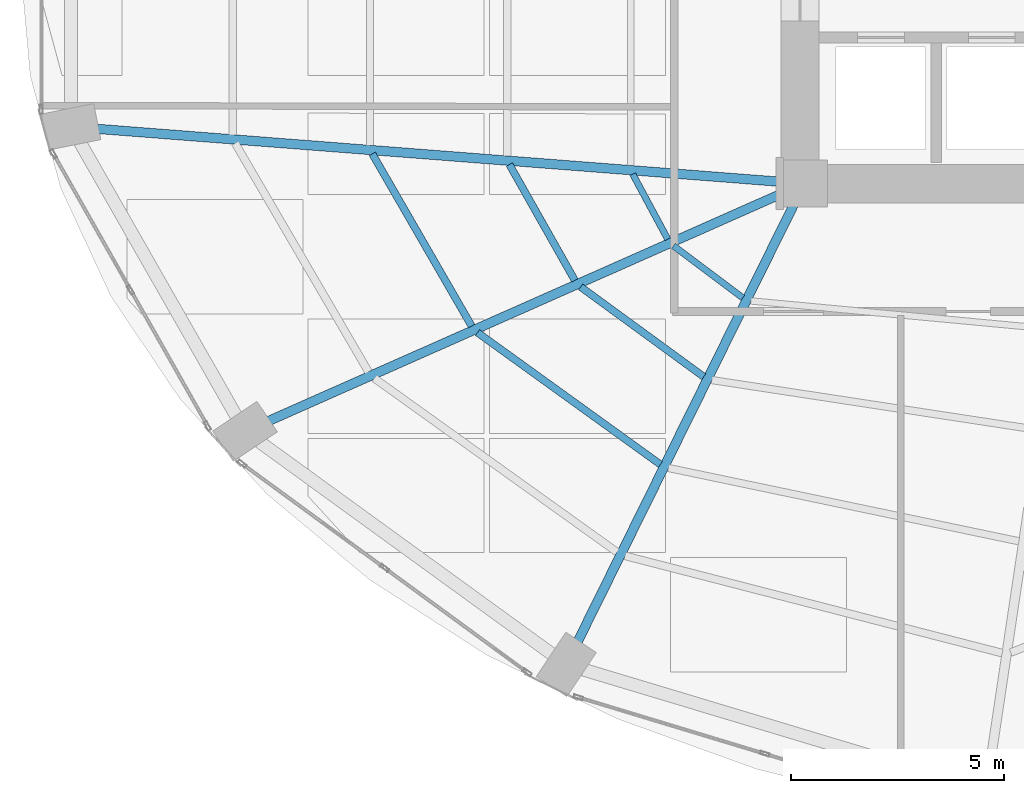
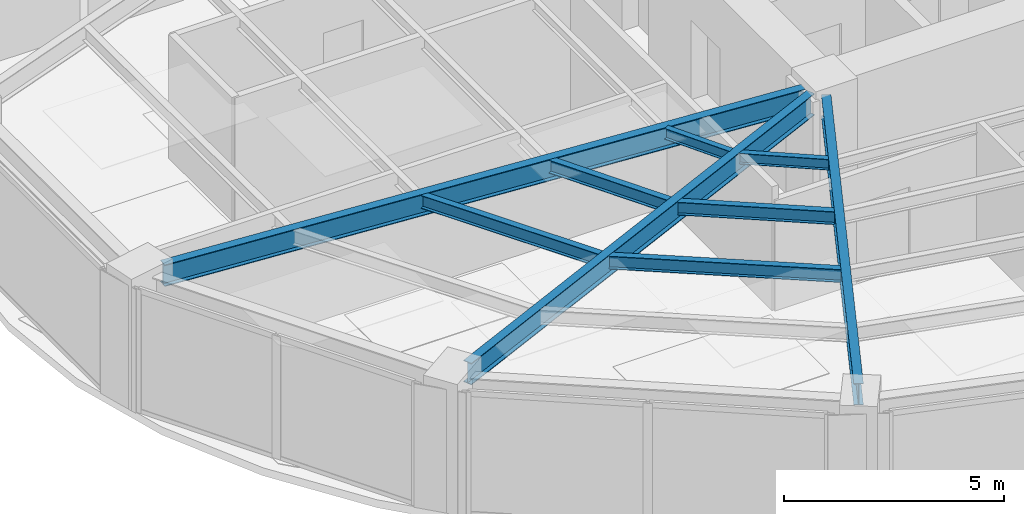
# One storey, part 4 of 24: 9 beams.
"""IFC4 building model written with IfcOpenShell, lengths in metres."""

import ifcopenshell
import ifcopenshell.guid

model = None  # the IFC model being written
_history = None  # IfcOwnerHistory: only IFC2X3 demands one
_inside = {}  # id of a spatial element -> (the spatial element, [elements in it])
_under = {}  # id of a project, library or spatial element -> (it, [spatial elements below it])
_declared = {}  # id of a project -> (the project, [libraries it declares])
_typed = {}  # id of a type object -> (the type object, [elements of that type])
_made_of = {}  # id of a material, layer set ... -> (it, [elements and type objects made of it])


def new_model(schema):
    """Start an empty IFC model of exactly this schema.

    Asked for "IFC4X3", IfcOpenShell would pick the latest addendum, in which some entities
    have other attributes; the version numbers below select the first issue.
    IFC2X3 requires an IfcOwnerHistory on every rooted entity: one is made here for all.
    """
    global model, _history
    if schema == "IFC4X3":
        model = ifcopenshell.file(schema_version=(4, 3, 0, 0))
    else:
        model = ifcopenshell.file(schema=schema)
    _inside.clear()
    _under.clear()
    _declared.clear()
    _typed.clear()
    _made_of.clear()
    _history = None
    if model.schema == "IFC2X3":
        org = make("IfcOrganization", Name="unknown")
        user = make(
            "IfcPersonAndOrganization",
            ThePerson=make("IfcPerson", FamilyName="unknown"),
            TheOrganization=org,
        )
        app = make(
            "IfcApplication",
            ApplicationDeveloper=org,
            Version="unknown",
            ApplicationFullName="unknown",
            ApplicationIdentifier="unknown",
        )
        _history = make(
            "IfcOwnerHistory",
            OwningUser=user,
            OwningApplication=app,
            ChangeAction="ADDED",
            CreationDate=0,
        )
    return model


def make(cls, **values):
    """One entity of the class cls with the attributes given. An attribute that is None is left unset."""
    return model.create_entity(
        cls, **{name: value for name, value in values.items() if value is not None}
    )


def rooted(cls, **values):
    """An entity with a GlobalId (a new one), such as an element, a storey or a relation."""
    return make(cls, GlobalId=ifcopenshell.guid.new(), OwnerHistory=_history, **values)


def si_unit(unit_type, name, prefix=None):
    """IfcSIUnit, for example si_unit("LENGTHUNIT", "METRE", prefix="MILLI")."""
    return make("IfcSIUnit", UnitType=unit_type, Prefix=prefix, Name=name)


def assignment(units):
    """IfcUnitAssignment: the units of a project."""
    return None if units is None else make("IfcUnitAssignment", Units=units)


def point(xyz):
    """IfcCartesianPoint."""
    return None if xyz is None else make("IfcCartesianPoint", Coordinates=xyz)


def direction(xyz):
    """IfcDirection."""
    return None if xyz is None else make("IfcDirection", DirectionRatios=xyz)


def frame(location, z_axis=None, x_axis=None):
    """IfcAxis2Placement3D, a coordinate frame: its origin and axes. An axis left out is left unset."""
    return make(
        "IfcAxis2Placement3D",
        Location=point(location),
        Axis=direction(z_axis),
        RefDirection=direction(x_axis),
    )


def frame_2d(location, x_axis=None):
    """IfcAxis2Placement2D, a coordinate frame in the plane: its origin and x axis."""
    return make(
        "IfcAxis2Placement2D", Location=point(location), RefDirection=direction(x_axis)
    )


def origin():
    """The frame at (0, 0, 0) with its axes left unset."""
    return frame((0.0, 0.0, 0.0))


def origin_2d():
    """The frame at (0, 0) in the plane with its x axis left unset."""
    return frame_2d((0.0, 0.0))


def place(relative_to, where):
    """IfcLocalPlacement: puts the frame where relative to a parent placement (None: the world)."""
    return make(
        "IfcLocalPlacement", PlacementRelTo=relative_to, RelativePlacement=where
    )


def context(
    kind, dimensions, precision=None, world=None, true_north=None, identifier=None
):
    """IfcGeometricRepresentationContext, for example the 3D "Model" context."""
    return make(
        "IfcGeometricRepresentationContext",
        ContextIdentifier=identifier,
        ContextType=kind,
        CoordinateSpaceDimension=dimensions,
        Precision=precision,
        WorldCoordinateSystem=world,
        TrueNorth=true_north,
    )


def subcontext(parent, identifier, kind, view, scale=None):
    """IfcGeometricRepresentationSubContext, for example "Body" below "Model"."""
    return make(
        "IfcGeometricRepresentationSubContext",
        ContextIdentifier=identifier,
        ContextType=kind,
        ParentContext=parent,
        TargetScale=scale,
        TargetView=view,
    )


def project(units=None, contexts=None):
    """IfcProject with its units and contexts."""
    return rooted(
        "IfcProject",
        Name="project",
        RepresentationContexts=contexts,
        UnitsInContext=assignment(units),
    )


def spatial(cls, under=None, at=None, **own):
    """A site, building, storey or space (cls), placed at a placement, below another one or the project."""
    s = rooted(cls, ObjectPlacement=at, **own)
    if under is not None:
        _under.setdefault(under.id(), (under, []))[1].append(s)
    return s


def profile(cls, at=None, kind="AREA", **sizes):
    """A parametric profile (cls). Its sizes go by their IFC names, for example OverallWidth=200.0."""
    return make(cls, ProfileType=kind, Position=at, **sizes)


def i_section(**sizes):
    """IfcIShapeProfileDef."""
    return profile("IfcIShapeProfileDef", **sizes)


def extrude(swept, where, along, depth):
    """IfcExtrudedAreaSolid: the profile swept, set in the frame where, extruded along a direction by depth."""
    return make(
        "IfcExtrudedAreaSolid",
        SweptArea=swept,
        Position=where,
        ExtrudedDirection=direction(along),
        Depth=depth,
    )


def shape(context_of_items, identifier, shape_type, items):
    """IfcShapeRepresentation: the items that make up one representation, for example the "Body"."""
    return make(
        "IfcShapeRepresentation",
        ContextOfItems=context_of_items,
        RepresentationIdentifier=identifier,
        RepresentationType=shape_type,
        Items=items,
    )


def material(Name=None, Category=None):
    """IfcMaterial."""
    return make("IfcMaterial", Name=Name, Category=Category)


def material_profile(
    of_material, cross_section, Name=None, Category=None, Priority=None
):
    """IfcMaterialProfile: a cross section and its material."""
    return make(
        "IfcMaterialProfile",
        Name=Name,
        Material=of_material,
        Profile=cross_section,
        Priority=Priority,
        Category=Category,
    )


def profile_set(profiles, Name=None, composite=None):
    """IfcMaterialProfileSet."""
    return make(
        "IfcMaterialProfileSet",
        Name=Name,
        MaterialProfiles=profiles,
        CompositeProfile=composite,
    )


def made_of(thing, what):
    """Note that an element or type object is made of a material, layer set ...; save() writes the relation."""
    if what is not None:
        _made_of.setdefault(what.id(), (what, []))[1].append(thing)
    return thing


def type_object(cls, material=None, **own):
    """A type object (cls), such as IfcWallType, which elements share."""
    return made_of(rooted(cls, **own), material)


def element(
    cls,
    number,
    at=None,
    inside=None,
    cuts=None,
    type_object=None,
    material=None,
    context=None,
    identifier="Body",
    shape_type=None,
    held_by="IfcProductDefinitionShape",
    body=None,
    shapes=None,
    **own,
):
    """One element of the class cls, such as IfcWall. Its Tag is "e" and its number.

    at: its placement. inside: the storey or other place that contains it. cuts: it is an
    opening in that element (IfcRelVoidsElement). A single representation is given by context,
    identifier, shape_type and body (its items); several are given by shapes. held_by: the class
    of the entity that holds the representations. save() writes the other relations.
    """
    e = rooted(cls, Tag="e%d" % number, ObjectPlacement=at, **own)
    if body is not None:
        shapes = [shape(context, identifier, shape_type, body)]
    if shapes is not None:
        e.Representation = make(held_by, Representations=shapes)
    if inside is not None:
        _inside.setdefault(inside.id(), (inside, []))[1].append(e)
    if cuts is not None:
        rooted(
            "IfcRelVoidsElement", RelatingBuildingElement=cuts, RelatedOpeningElement=e
        )
    if type_object is not None:
        _typed.setdefault(type_object.id(), (type_object, []))[1].append(e)
    return made_of(e, material)


def aggregate(whole, parts):
    """IfcRelAggregates: a whole, such as a stair, and the parts it consists of."""
    return rooted("IfcRelAggregates", RelatingObject=whole, RelatedObjects=parts)


def save(model, path):
    """Write the relations noted so far, then the file.

    IfcRelAggregates (storeys below a building ...), IfcRelContainedInSpatialStructure (elements
    in a storey), IfcRelDefinesByType, IfcRelAssociatesMaterial and IfcRelDeclares: one each for
    every whole, place, type object, material and project.
    """
    for whole, parts in _under.values():
        aggregate(whole, parts)
    for where, things in _inside.values():
        rooted(
            "IfcRelContainedInSpatialStructure",
            RelatedElements=things,
            RelatingStructure=where,
        )
    for kind, things in _typed.values():
        rooted("IfcRelDefinesByType", RelatedObjects=things, RelatingType=kind)
    for what, things in _made_of.values():
        rooted("IfcRelAssociatesMaterial", RelatedObjects=things, RelatingMaterial=what)
    for by, libraries in _declared.values():
        rooted("IfcRelDeclares", RelatingContext=by, RelatedDefinitions=libraries)
    model.write(path)


model = new_model("IFC4")

# Units and contexts
model_context = context("Model", 3, precision=1e-05, world=origin(), true_north=direction((0.0, 1.0)))
body_context = subcontext(model_context, "Body", "Model", "MODEL_VIEW")
ifc_project = project(units=[si_unit("LENGTHUNIT", "METRE"), si_unit("AREAUNIT", "SQUARE_METRE"), si_unit("VOLUMEUNIT", "CUBIC_METRE"), si_unit("PLANEANGLEUNIT", "RADIAN"), si_unit("MASSUNIT", "GRAM", prefix="KILO")], contexts=[model_context])

# Site, building, storey
site_placement = place(None, origin())
site = spatial("IfcSite", under=ifc_project, at=site_placement, CompositionType="ELEMENT")
building_placement = place(site_placement, origin())
building = spatial("IfcBuilding", under=site, at=building_placement, Name="Lazwardi Medical Tower", CompositionType="ELEMENT")
storey_placement = place(building_placement, frame((0.0, 0.0, 61.679931640625)))
storey = spatial("IfcBuildingStorey", under=building, at=storey_placement, Name="L15", CompositionType="ELEMENT", Elevation=61.679931640625)

# Beams
ifc_material = material(Name="Steel S355", Category="steel")
ifc_material_profile_1 = material_profile(ifc_material, i_section(OverallWidth=0.219970703125, OverallDepth=0.60009765625, WebThickness=0.011962890625, FlangeThickness=0.01904296875, at=origin_2d()), Name="IPE 600")
ifc_profile_set_1 = profile_set([ifc_material_profile_1], Name="Steel S355")
beam_type_1 = type_object("IfcBeamType", Name="BM-RG-W1", PredefinedType="BEAM", material=ifc_profile_set_1)
beam_1_placement = place(storey_placement, frame((9.7783203125, 21.6875, 3.128173828125), z_axis=(0.997013942066, -0.077221754231, 0.0), x_axis=(0.077221754231, 0.997013942066, 0.0)))
element("IfcBeam", 1, at=beam_1_placement, inside=storey, type_object=beam_type_1, Name="Radial girder RG-02 R13 L15", PredefinedType="BEAM", context=body_context, shape_type="SweptSolid", body=[
    extrude(i_section(OverallWidth=0.219970703125, OverallDepth=0.60009765625, WebThickness=0.011962890625, FlangeThickness=0.01904296875, at=origin_2d()), origin(), (0.0, 0.0, 1.0), 16.136474609375),
])
beam_2_placement = place(storey_placement, frame((13.810302734375, 14.82080078125, 3.128173828125), z_axis=(0.914252189566, 0.405145571214, 0.0), x_axis=(-0.405145571214, 0.914252189566, 0.0)))
element("IfcBeam", 2, at=beam_2_placement, inside=storey, type_object=beam_type_1, Name="Radial girder RG-02 R14 L15", PredefinedType="BEAM", context=body_context, shape_type="SweptSolid", body=[
    extrude(i_section(OverallWidth=0.219970703125, OverallDepth=0.60009765625, WebThickness=0.011962890625, FlangeThickness=0.01904296875, at=origin_2d()), origin(), (0.0, 0.0, 1.0), 13.235595703125),
])
beam_3_placement = place(storey_placement, frame((21.076171875, 9.635986328125, 3.128173828125), z_axis=(0.443336723706, 0.896355146922, 0.0), x_axis=(-0.896355146922, 0.443336723706, 0.0)))
element("IfcBeam", 3, at=beam_3_placement, inside=storey, type_object=beam_type_1, Name="Radial girder RG-02 R15 L15", PredefinedType="BEAM", context=body_context, shape_type="SweptSolid", body=[
    extrude(i_section(OverallWidth=0.219970703125, OverallDepth=0.60009765625, WebThickness=0.011962890625, FlangeThickness=0.01904296875, at=origin_2d()), origin(), (0.0, 0.0, 1.0), 11.4736328125),
])
ifc_material_profile_2 = material_profile(ifc_material, i_section(OverallWidth=0.169921875, OverallDepth=0.360107421875, WebThickness=0.008056640625, FlangeThickness=0.0126953125, at=origin_2d()), Name="IPE 360")
ifc_profile_set_2 = profile_set([ifc_material_profile_2], Name="Steel S355")
beam_type_2 = type_object("IfcBeamType", Name="BM-SJ-02", PredefinedType="JOIST", material=ifc_profile_set_2)
beam_4_placement = place(storey_placement, frame((16.26611328125, 21.09814453125, 3.248046875), z_axis=(0.499785866494, -0.866148998529, 0.0), x_axis=(0.866148998529, 0.499785866494, 0.0)))
element("IfcBeam", 4, at=beam_4_placement, inside=storey, type_object=beam_type_2, Name="Secondary joist SJ-02 R2 B13 L15", PredefinedType="JOIST", context=body_context, shape_type="SweptSolid", body=[
    extrude(i_section(OverallWidth=0.169921875, OverallDepth=0.360107421875, WebThickness=0.008056640625, FlangeThickness=0.0126953125, at=origin_2d()), origin(), (0.0, 0.0, 1.0), 4.666015625),
])
beam_5_placement = place(storey_placement, frame((18.73583984375, 16.904296875, 3.248046875), z_axis=(0.811142764961, -0.584848198127, 0.0), x_axis=(0.584848198127, 0.811142764961, 0.0)))
element("IfcBeam", 5, at=beam_5_placement, inside=storey, type_object=beam_type_2, Name="Secondary joist SJ-02 R2 B14 L15", PredefinedType="JOIST", context=body_context, shape_type="SweptSolid", body=[
    extrude(i_section(OverallWidth=0.169921875, OverallDepth=0.360107421875, WebThickness=0.008056640625, FlangeThickness=0.0126953125, at=origin_2d()), origin(), (0.0, 0.0, 1.0), 5.28857421875),
])
beam_6_placement = place(storey_placement, frame((19.48291015625, 20.848388671875, 3.248046875), z_axis=(0.491923287977, -0.870638546554, 0.0), x_axis=(0.870638546554, 0.491923287977, 0.0)))
element("IfcBeam", 6, at=beam_6_placement, inside=storey, type_object=beam_type_2, Name="Secondary joist SJ-02 R3 B13 L15", PredefinedType="JOIST", context=body_context, shape_type="SweptSolid", body=[
    extrude(i_section(OverallWidth=0.169921875, OverallDepth=0.360107421875, WebThickness=0.008056640625, FlangeThickness=0.0126953125, at=origin_2d()), origin(), (0.0, 0.0, 1.0), 3.122802734375),
])
beam_7_placement = place(storey_placement, frame((21.155517578125, 17.976318359375, 3.248046875), z_axis=(0.80770129933, -0.589591902132, 0.0), x_axis=(0.589591902132, 0.80770129933, 0.0)))
element("IfcBeam", 7, at=beam_7_placement, inside=storey, type_object=beam_type_2, Name="Secondary joist SJ-02 R3 B14 L15", PredefinedType="JOIST", context=body_context, shape_type="SweptSolid", body=[
    extrude(i_section(OverallWidth=0.169921875, OverallDepth=0.360107421875, WebThickness=0.008056640625, FlangeThickness=0.0126953125, at=origin_2d()), origin(), (0.0, 0.0, 1.0), 3.5751953125),
])
ifc_material_profile_3 = material_profile(ifc_material, i_section(OverallWidth=0.14990234375, OverallDepth=0.300048828125, WebThickness=0.007080078125, FlangeThickness=0.0107421875, at=origin_2d()), Name="IPE 300")
ifc_profile_set_3 = profile_set([ifc_material_profile_3], Name="Steel S355")
beam_type_3 = type_object("IfcBeamType", Name="BM-SJ-03", PredefinedType="JOIST", material=ifc_profile_set_3)
beam_8_placement = place(storey_placement, frame((22.376953125, 20.623046875, 3.278076171875), z_axis=(0.473982292828, -0.880534375301, 0.0), x_axis=(0.880534375301, 0.473982292828, 0.0)))
element("IfcBeam", 8, at=beam_8_placement, inside=storey, type_object=beam_type_3, Name="Secondary joist SJ-03 R4 B13 L15", PredefinedType="JOIST", context=body_context, shape_type="SweptSolid", body=[
    extrude(i_section(OverallWidth=0.14990234375, OverallDepth=0.300048828125, WebThickness=0.007080078125, FlangeThickness=0.0107421875, at=origin_2d()), origin(), (0.0, 0.0, 1.0), 1.734375),
])
beam_9_placement = place(storey_placement, frame((23.332763671875, 18.9404296875, 3.278076171875), z_axis=(0.800115247939, -0.599846305328, 0.0), x_axis=(0.599846305328, 0.800115247939, 0.0)))
element("IfcBeam", 9, at=beam_9_placement, inside=storey, type_object=beam_type_3, Name="Secondary joist SJ-03 R4 B14 L15", PredefinedType="JOIST", context=body_context, shape_type="SweptSolid", body=[
    extrude(i_section(OverallWidth=0.14990234375, OverallDepth=0.300048828125, WebThickness=0.007080078125, FlangeThickness=0.0107421875, at=origin_2d()), origin(), (0.0, 0.0, 1.0), 2.033447265625),
])

save(model, "model.ifc")
